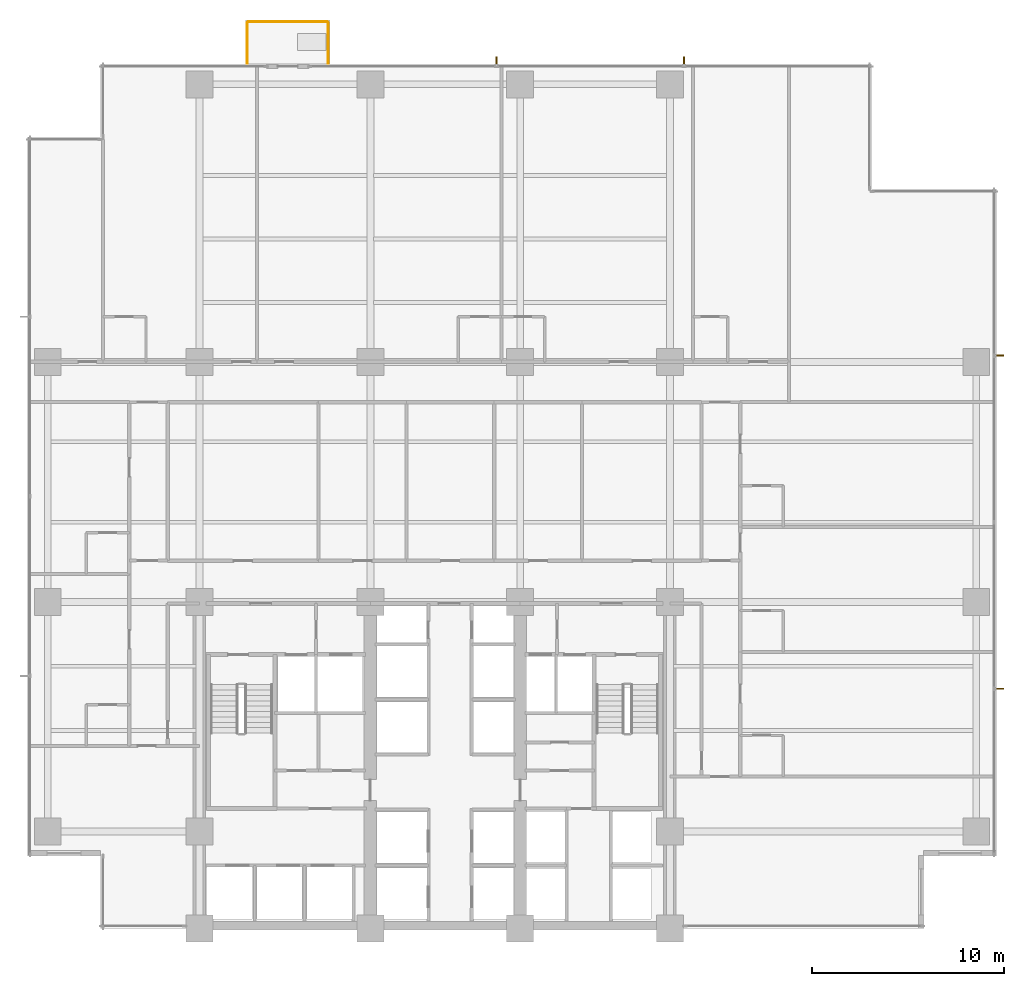
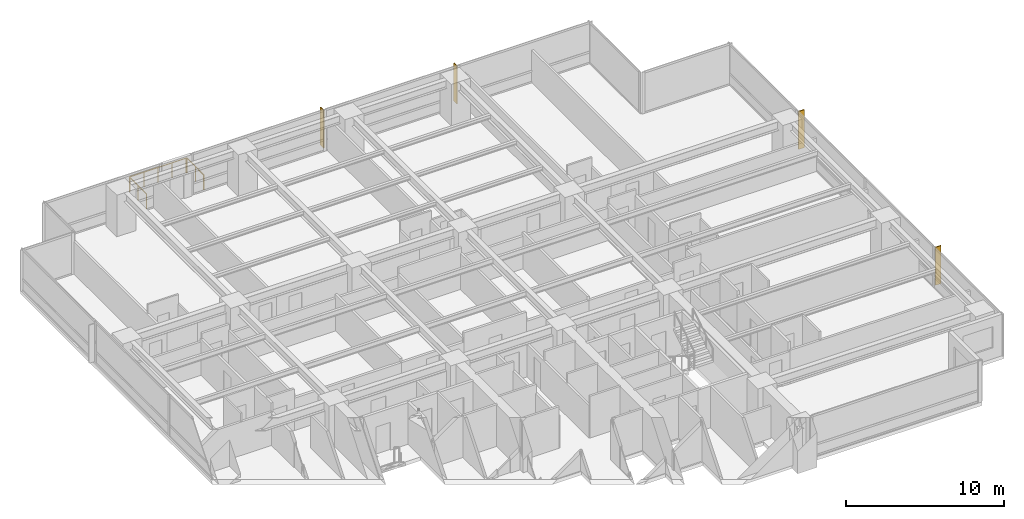
# One storey, part 16 of 16: 4 shading devices, 3 railings.
"""IFC4 building model written with IfcOpenShell, lengths in metres."""

from ifc_helpers import new_model, si_unit, direction, frame, origin, origin_2d, place, context, subcontext, project, spatial, polyline, circle, outline, extrude, material, layer, layer_set, type_object, element, save


model = new_model("IFC4")

# Units and contexts
model_context = context("Model", 3, precision=1e-05, world=origin(), true_north=direction((0.0, 1.0)))
body_context = subcontext(model_context, "Body", "Model", "MODEL_VIEW")
ifc_project = project(units=[si_unit("LENGTHUNIT", "METRE"), si_unit("AREAUNIT", "SQUARE_METRE"), si_unit("VOLUMEUNIT", "CUBIC_METRE"), si_unit("PLANEANGLEUNIT", "RADIAN"), si_unit("MASSUNIT", "GRAM", prefix="KILO")], contexts=[model_context])

# Site, building, storey
site_placement = place(None, origin())
site = spatial("IfcSite", under=ifc_project, at=site_placement, CompositionType="ELEMENT")
building_placement = place(site_placement, origin())
building = spatial("IfcBuilding", under=site, at=building_placement, Name="Qalmaran Belvedere Hotel", CompositionType="ELEMENT")
storey_placement = place(building_placement, frame((0.0, 0.0, 43.89990234375)))
storey = spatial("IfcBuildingStorey", under=building, at=storey_placement, Name="L10", CompositionType="ELEMENT", Elevation=43.89990234375)

# Shading devices
ifc_material = material(Name="Anodised Bronze Aluminium", Category="aluminium")
ifc_layer = layer(ifc_material, 0.06494140625, Name="Anodised Bronze Aluminium")
ifc_layer_set = layer_set([ifc_layer], Name="Anodised Bronze Aluminium")
shading_device_type = type_object("IfcShadingDeviceType", Name="FIN-BRNZ-420", PredefinedType="USERDEFINED", material=ifc_layer_set)
shading_device_1_placement = place(storey_placement, frame((0.0, 0.0, 0.16015625)))
element("IfcShadingDevice", 1, at=shading_device_1_placement, inside=storey, type_object=shading_device_type, Name="L10 Bronze Fin 1", ObjectType="FIN", PredefinedType="USERDEFINED", context=body_context, shape_type="SweptSolid", body=[
    extrude(outline(polyline([(61.7724609375, 15.9423828125), (62.1923828125, 15.9423828125), (62.1923828125, 16.007568359375), (61.7724609375, 16.007568359375), (61.7724609375, 15.9423828125)])), origin(), (0.0, 0.0, 1.0), 2.93994140625),
])
shading_device_2_placement = place(storey_placement, frame((0.0, 0.0, 0.16015625)))
element("IfcShadingDevice", 2, at=shading_device_2_placement, inside=storey, type_object=shading_device_type, Name="L10 Bronze Fin 3", ObjectType="FIN", PredefinedType="USERDEFINED", context=body_context, shape_type="SweptSolid", body=[
    extrude(outline(polyline([(61.7724609375, 33.29248046875), (62.1923828125, 33.29248046875), (62.1923828125, 33.357421875), (61.7724609375, 33.357421875), (61.7724609375, 33.29248046875)])), origin(), (0.0, 0.0, 1.0), 2.93994140625),
])
shading_device_3_placement = place(storey_placement, frame((0.0, 0.0, 0.16015625)))
element("IfcShadingDevice", 3, at=shading_device_3_placement, inside=storey, type_object=shading_device_type, Name="L10 Bronze Fin 1", ObjectType="FIN", PredefinedType="USERDEFINED", context=body_context, shape_type="SweptSolid", body=[
    extrude(outline(polyline([(45.56591796875, 48.472412109375), (45.56591796875, 48.892578125), (45.500732421875, 48.892578125), (45.500732421875, 48.472412109375), (45.56591796875, 48.472412109375)])), origin(), (0.0, 0.0, 1.0), 2.93994140625),
])
shading_device_4_placement = place(storey_placement, frame((0.0, 0.0, 0.16015625)))
element("IfcShadingDevice", 4, at=shading_device_4_placement, inside=storey, type_object=shading_device_type, Name="L10 Bronze Fin 2", ObjectType="FIN", PredefinedType="USERDEFINED", context=body_context, shape_type="SweptSolid", body=[
    extrude(outline(polyline([(35.79931640625, 48.472412109375), (35.79931640625, 48.892578125), (35.734130859375, 48.892578125), (35.734130859375, 48.472412109375), (35.79931640625, 48.472412109375)])), origin(), (0.0, 0.0, 1.0), 2.93994140625),
])

# Railings
railing_type = type_object("IfcRailingType", Name="GRD-BAL-1150", PredefinedType="BALUSTRADE", material=ifc_material)
railing_1_placement = place(storey_placement, frame((22.800048828125, 48.534912109375, 0.0)))
element("IfcRailing", 5, at=railing_1_placement, inside=storey, type_object=railing_type, Name="L10 Guardrail BAL-L10-N-1", PredefinedType="BALUSTRADE", context=body_context, shape_type="SweptSolid", body=[
    extrude(circle(Radius=0.02392578125, at=origin_2d()), frame((0.0, 0.0, 1.1259765625), z_axis=(0.0, 1.0, 0.0), x_axis=(-1.0, 0.0, 0.0)), (0.0, 0.0, 1.0), 2.130126953125),
    extrude(circle(Radius=0.02099609375, at=origin_2d()), origin(), (0.0, 0.0, 1.0), 1.101806640625),
    extrude(circle(Radius=0.02099609375, at=origin_2d()), frame((0.0, 1.06494140625, 0.0)), (0.0, 0.0, 1.0), 1.101806640625),
    extrude(circle(Radius=0.02099609375, at=origin_2d()), frame((0.0, 2.130126953125, 0.0)), (0.0, 0.0, 1.0), 1.101806640625),
])
railing_2_placement = place(storey_placement, frame((22.8349609375, 50.699951171875, 0.0)))
element("IfcRailing", 6, at=railing_2_placement, inside=storey, type_object=railing_type, Name="L10 Guardrail BAL-L10-N-2", PredefinedType="BALUSTRADE", context=body_context, shape_type="SweptSolid", body=[
    extrude(circle(Radius=0.02392578125, at=origin_2d()), frame((0.0, 0.0, 1.1259765625), z_axis=(1.0, 0.0, 0.0), x_axis=(0.0, 1.0, 0.0)), (0.0, 0.0, 1.0), 4.130126953125),
    extrude(circle(Radius=0.02099609375, at=origin_2d()), origin(), (0.0, 0.0, 1.0), 1.101806640625),
    extrude(circle(Radius=0.02099609375, at=origin_2d()), frame((1.032470703125, 0.0, 0.0)), (0.0, 0.0, 1.0), 1.101806640625),
    extrude(circle(Radius=0.02099609375, at=origin_2d()), frame((2.06494140625, 0.0, 0.0)), (0.0, 0.0, 1.0), 1.101806640625),
    extrude(circle(Radius=0.02099609375, at=origin_2d()), frame((3.09765625, 0.0, 0.0)), (0.0, 0.0, 1.0), 1.101806640625),
    extrude(circle(Radius=0.02099609375, at=origin_2d()), frame((4.130126953125, 0.0, 0.0)), (0.0, 0.0, 1.0), 1.101806640625),
])
railing_3_placement = place(storey_placement, frame((27.0, 50.6650390625, 0.0)))
element("IfcRailing", 7, at=railing_3_placement, inside=storey, type_object=railing_type, Name="L10 Guardrail BAL-L10-N-3", PredefinedType="BALUSTRADE", context=body_context, shape_type="SweptSolid", body=[
    extrude(circle(Radius=0.02392578125, at=origin_2d()), frame((0.0, 0.0, 1.1259765625), z_axis=(0.0, -1.0, 0.0), x_axis=(1.0, 0.0, 0.0)), (0.0, 0.0, 1.0), 2.130126953125),
    extrude(circle(Radius=0.02099609375, at=origin_2d()), origin(), (0.0, 0.0, 1.0), 1.101806640625),
    extrude(circle(Radius=0.02099609375, at=origin_2d()), frame((0.0, -1.06494140625, 0.0)), (0.0, 0.0, 1.0), 1.101806640625),
    extrude(circle(Radius=0.02099609375, at=origin_2d()), frame((0.0, -2.130126953125, 0.0)), (0.0, 0.0, 1.0), 1.101806640625),
])

save(model, "model.ifc")
